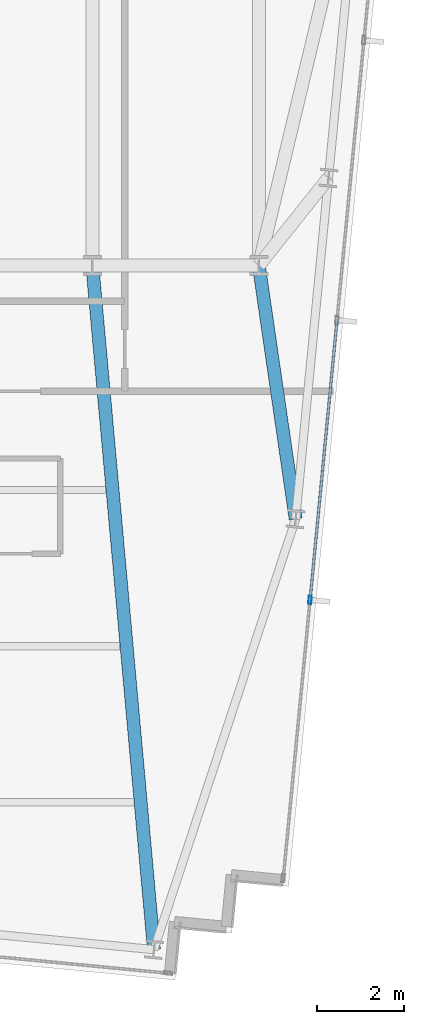
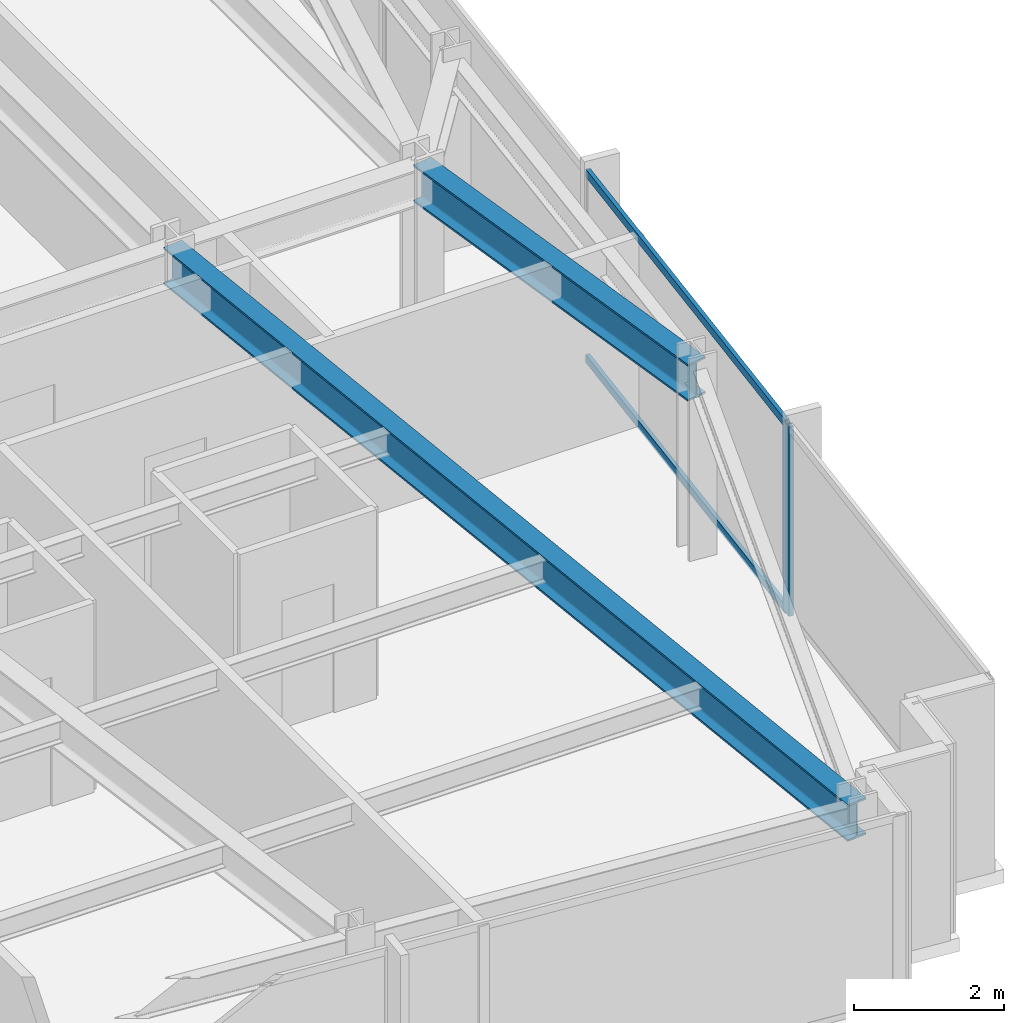
# One storey, part 15 of 37: 3 members, 2 beams, 1 element without a shape of its own.
"""IFC4 building model written with IfcOpenShell, lengths in metres."""

from ifc_helpers import new_model, si_unit, direction, frame, origin, origin_2d, place, context, subcontext, project, spatial, hollow_rectangle, i_section, extrude, material, material_profile, profile_set, type_object, element, aggregate, save


model = new_model("IFC4")

# Units and contexts
model_context = context("Model", 3, precision=1e-05, world=origin(), true_north=direction((0.0, 1.0)))
body_context = subcontext(model_context, "Body", "Model", "MODEL_VIEW")
ifc_project = project(units=[si_unit("LENGTHUNIT", "METRE"), si_unit("AREAUNIT", "SQUARE_METRE"), si_unit("VOLUMEUNIT", "CUBIC_METRE"), si_unit("PLANEANGLEUNIT", "RADIAN"), si_unit("MASSUNIT", "GRAM", prefix="KILO")], contexts=[model_context])

# Site, building, storey
site_placement = place(None, origin())
site = spatial("IfcSite", under=ifc_project, at=site_placement, CompositionType="ELEMENT")
building_placement = place(site_placement, origin())
building = spatial("IfcBuilding", under=site, at=building_placement, Name="Yelkora Congress Tower", CompositionType="ELEMENT")
storey_placement = place(building_placement, frame((0.0, 0.0, 165.5)))
storey = spatial("IfcBuildingStorey", under=building, at=storey_placement, Name="L45", CompositionType="ELEMENT", Elevation=165.5)

# Beams
ifc_material_1 = material(Name="Steel S355J2", Category="steel")
ifc_material_profile_1 = material_profile(ifc_material_1, i_section(OverallWidth=0.300048828125, OverallDepth=0.60009765625, WebThickness=0.015380859375, FlangeThickness=0.030029296875, FilletRadius=0.027099609375, at=origin_2d()), Name="HEB 600")
ifc_profile_set_1 = profile_set([ifc_material_profile_1], Name="Steel S355J2")
beam_type = type_object("IfcBeamType", Name="BM-GIRD-HEB600", PredefinedType="BEAM", material=ifc_profile_set_1)
beam_1_placement = place(storey_placement, frame((55.18212890625, 9.421142578125, 2.780029296875), z_axis=(-0.089764575953, 0.995963011815, 0.0), x_axis=(-0.995963011815, -0.089764575953, 0.0)))
element("IfcBeam", 1, at=beam_1_placement, inside=storey, type_object=beam_type, Name="L45 Primary Frame Girder S08", PredefinedType="BEAM", context=body_context, shape_type="SweptSolid", body=[
    extrude(i_section(OverallWidth=0.300048828125, OverallDepth=0.60009765625, WebThickness=0.015380859375, FlangeThickness=0.030029296875, FilletRadius=0.027099609375, at=origin_2d()), origin(), (0.0, 0.0, 1.0), 15.8427734375),
])
beam_2_placement = place(storey_placement, frame((58.44921875, 19.353759765625, 2.780029296875), z_axis=(-0.143735281382, 0.989616172506, 0.0), x_axis=(-0.989616172506, -0.143735281382, 0.0)))
element("IfcBeam", 2, at=beam_2_placement, inside=storey, type_object=beam_type, Name="L45 Primary Frame Girder E01", PredefinedType="BEAM", context=body_context, shape_type="SweptSolid", body=[
    extrude(i_section(OverallWidth=0.300048828125, OverallDepth=0.60009765625, WebThickness=0.015380859375, FlangeThickness=0.030029296875, FilletRadius=0.027099609375, at=origin_2d()), origin(), (0.0, 0.0, 1.0), 5.907470703125),
])

# Curtain wall, members
ifc_material_2 = material(Name="Anodised aluminium and insulated glass", Category="aluminium")
curtain_wall_type = type_object("IfcCurtainWallType", Name="CW-SYS-B3", PredefinedType="NOTDEFINED", material=ifc_material_2)
curtain_wall_placement = place(storey_placement, origin())
curtain_wall = element("IfcCurtainWall", 3, at=curtain_wall_placement, inside=storey, type_object=curtain_wall_type, Name="L45 Unitised Curtain Wall 15", PredefinedType="NOTDEFINED")
ifc_material_3 = material(Name="Anodised aluminium 6063-T6", Category="aluminium")
ifc_material_profile_2 = material_profile(ifc_material_3, hollow_rectangle(XDim=0.070068359375, YDim=0.18994140625, WallThickness=0.00390625, at=origin_2d()), Name="ALU 70x190x4")
ifc_profile_set_2 = profile_set([ifc_material_profile_2], Name="Anodised aluminium 6063-T6")
member_type_1 = type_object("IfcMemberType", Name="MEM-ML-B3", PredefinedType="MULLION", material=ifc_profile_set_2)
member_1_placement = place(storey_placement, frame((58.78173828125, 17.4873046875, 0.0), z_axis=(0.0, 0.0, 1.0), x_axis=(0.995396565076, -0.095841944023, 0.0)))
member_1 = element("IfcMember", 4, at=member_1_placement, type_object=member_type_1, Name="CW-B3 mullion 5", PredefinedType="MULLION", context=body_context, shape_type="SweptSolid", body=[
    extrude(hollow_rectangle(XDim=0.070068359375, YDim=0.18994140625, WallThickness=0.00390625, at=origin_2d()), origin(), (0.0, 0.0, 1.0), 3.080078125),
])
ifc_material_profile_3 = material_profile(ifc_material_3, hollow_rectangle(XDim=0.06005859375, YDim=0.1298828125, WallThickness=0.00390625, at=origin_2d()), Name="ALU 60x130x4")
ifc_profile_set_3 = profile_set([ifc_material_profile_3], Name="Anodised aluminium 6063-T6")
member_type_2 = type_object("IfcMemberType", Name="MEM-TR-B3", PredefinedType="USERDEFINED", material=ifc_profile_set_3)
member_2_placement = place(storey_placement, frame((59.39990234375, 23.90673828125, 0.030029296875), z_axis=(-0.095843682057, -0.995396397728, 0.0), x_axis=(0.995396397728, -0.095843682057, 0.0)))
member_2 = element("IfcMember", 5, at=member_2_placement, type_object=member_type_2, Name="CW-B3 transom 4.1", ObjectType="TRANSOM", PredefinedType="USERDEFINED", context=body_context, shape_type="SweptSolid", body=[
    extrude(hollow_rectangle(XDim=0.06005859375, YDim=0.1298828125, WallThickness=0.00390625, at=origin_2d()), origin(), (0.0, 0.0, 1.0), 6.4140625),
])
member_3_placement = place(storey_placement, frame((59.39990234375, 23.90673828125, 3.050048828125), z_axis=(-0.095843682057, -0.995396397728, 0.0), x_axis=(0.995396397728, -0.095843682057, 0.0)))
member_3 = element("IfcMember", 6, at=member_3_placement, type_object=member_type_2, Name="CW-B3 transom 4.2", ObjectType="TRANSOM", PredefinedType="USERDEFINED", context=body_context, shape_type="SweptSolid", body=[
    extrude(hollow_rectangle(XDim=0.06005859375, YDim=0.1298828125, WallThickness=0.00390625, at=origin_2d()), origin(), (0.0, 0.0, 1.0), 6.4140625),
])
aggregate(curtain_wall, [member_1, member_2, member_3])

save(model, "model.ifc")
